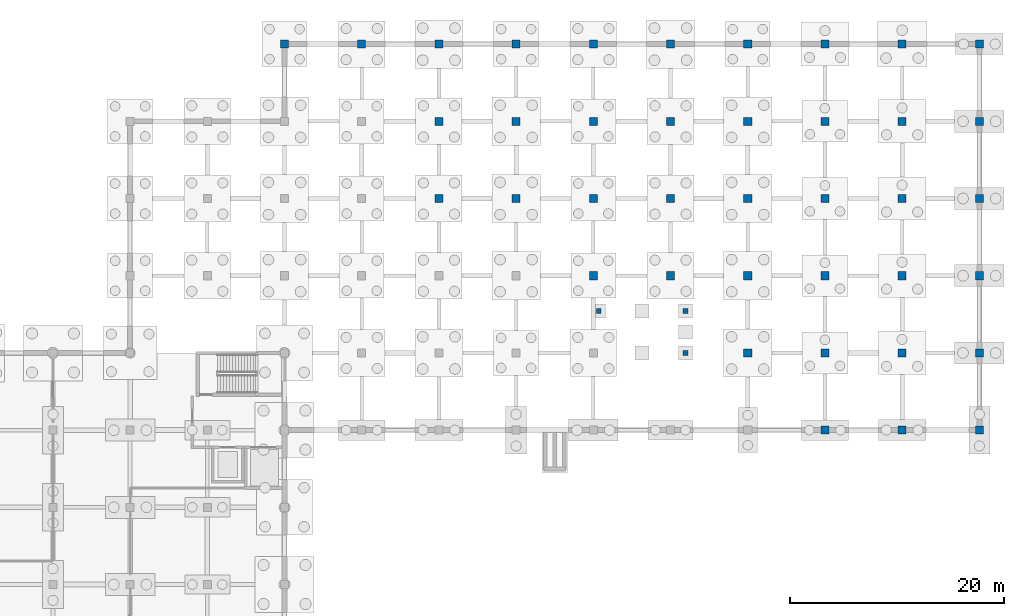
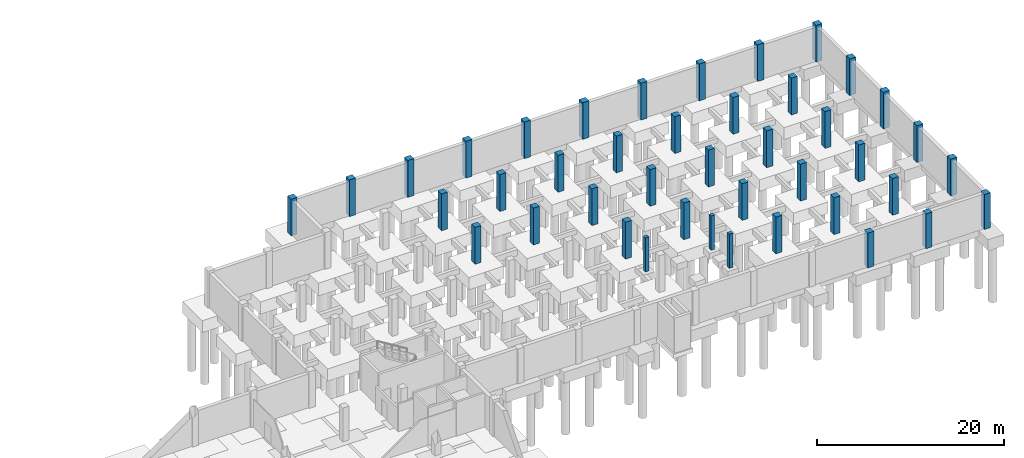
# One storey, part 22 of 35: 42 columns.
"""IFC4 building model written with IfcOpenShell, lengths in metres."""

from ifc_helpers import new_model, si_unit, direction, frame, origin, origin_2d, place, context, subcontext, project, spatial, rectangle, extrude, material, material_profile, profile_set, type_object, element, save


model = new_model("IFC4")

# Units and contexts
model_context = context("Model", 3, precision=1e-05, world=origin(), true_north=direction((0.0, 1.0)))
body_context = subcontext(model_context, "Body", "Model", "MODEL_VIEW")
ifc_project = project(units=[si_unit("LENGTHUNIT", "METRE"), si_unit("AREAUNIT", "SQUARE_METRE"), si_unit("VOLUMEUNIT", "CUBIC_METRE"), si_unit("PLANEANGLEUNIT", "RADIAN"), si_unit("MASSUNIT", "GRAM", prefix="KILO"), si_unit("THERMODYNAMICTEMPERATUREUNIT", "KELVIN"), si_unit("POWERUNIT", "WATT")], contexts=[model_context])

# Site, building, storey
site_placement = place(None, origin())
site = spatial("IfcSite", under=ifc_project, at=site_placement, CompositionType="ELEMENT")
building_placement = place(site_placement, origin())
building = spatial("IfcBuilding", under=site, at=building_placement, Name="Kaldorven Railside Theatre", CompositionType="ELEMENT")
storey_placement = place(building_placement, frame((0.0, 0.0, -4.800048828125)))
storey = spatial("IfcBuildingStorey", under=building, at=storey_placement, Name="B1", CompositionType="ELEMENT", Elevation=-4.800048828125)

# Columns
ifc_material = material(Name="Concrete C40/50", Category="concrete")
ifc_material_profile_1 = material_profile(ifc_material, rectangle(XDim=0.449951171875, YDim=0.449951171875, at=origin_2d()), Name="RC 450x450")
ifc_profile_set_1 = profile_set([ifc_material_profile_1], Name="Concrete C40/50")
column_type_1 = type_object("IfcColumnType", Name="COL-RC450", PredefinedType="COLUMN", material=ifc_profile_set_1)
for number, where, z_axis, x_axis, name in (
    (1, (160.60009765625, 112.800048828125, 0.0), (0.0, 0.0, 1.0), (1.0, 0.0, 0.0), "Core ST-08 Substructure Boundary Column CCR-037"),
    (2, (160.60009765625, 116.699951171875, 0.0), (0.0, 0.0, 1.0), (1.0, 0.0, 0.0), "Core ST-08 Substructure Boundary Column CCR-038"),
    (3, (152.5, 116.699951171875, 0.0), (0.0, 0.0, 1.0), (1.0, 0.0, 0.0), "Core ST-08 Substructure Boundary Column CCR-039"),
):
    element("IfcColumn", number, at=place(storey_placement, frame(where, z_axis=z_axis, x_axis=x_axis)), inside=storey, type_object=column_type_1, Name=name, PredefinedType="COLUMN", context=body_context, shape_type="SweptSolid", body=[
        extrude(rectangle(XDim=0.449951171875, YDim=0.449951171875, at=origin_2d()), origin(), (0.0, 0.0, 1.0), 4.449951171875),
    ])
ifc_material_profile_2 = material_profile(ifc_material, rectangle(XDim=0.75, YDim=0.75, at=origin_2d()), Name="RC 750x750")
ifc_profile_set_2 = profile_set([ifc_material_profile_2], Name="Concrete C40/50")
column_type_2 = type_object("IfcColumnType", Name="COL-RC750", PredefinedType="COLUMN", material=ifc_profile_set_2)
for number, where, z_axis, x_axis, name in (
    (4, (173.60009765625, 105.60009765625, 0.0), (0.0, 0.0, 1.0), (0.0, 1.0, 0.0), "B1 Column CG-B1-173-105"),
    (5, (180.800048828125, 105.60009765625, 0.0), (0.0, 0.0, 1.0), (1.0, 0.0, 0.0), "B1 Column CG-B1-180-105"),
    (6, (188.0, 105.60009765625, 0.0), (0.0, 0.0, 1.0), (0.0, 1.0, 0.0), "B1 Column CG-B1-188-105"),
):
    element("IfcColumn", number, at=place(storey_placement, frame(where, z_axis=z_axis, x_axis=x_axis)), inside=storey, type_object=column_type_2, Name=name, PredefinedType="COLUMN", context=body_context, shape_type="SweptSolid", body=[
        extrude(rectangle(XDim=0.75, YDim=0.75, at=origin_2d()), origin(), (0.0, 0.0, 1.0), 4.550048828125),
    ])
for number, where, z_axis, x_axis, name in (
    (7, (166.39990234375, 112.800048828125, 0.0), (0.0, 0.0, 1.0), (0.0, 1.0, 0.0), "B1 Column CG-B1-166-112"),
    (8, (173.60009765625, 112.800048828125, 0.0), (0.0, 0.0, 1.0), (1.0, 0.0, 0.0), "B1 Column CG-B1-173-112"),
    (9, (180.800048828125, 112.800048828125, 0.0), (0.0, 0.0, 1.0), (0.0, 1.0, 0.0), "B1 Column CG-B1-180-112"),
    (10, (188.0, 112.800048828125, 0.0), (0.0, 0.0, 1.0), (1.0, 0.0, 0.0), "B1 Column CG-B1-188-112"),
    (11, (152.0, 120.0, 0.0), (0.0, 0.0, 1.0), (1.0, 0.0, 0.0), "B1 Column CG-B1-152-120"),
    (12, (159.199951171875, 120.0, 0.0), (0.0, 0.0, 1.0), (0.0, 1.0, 0.0), "B1 Column CG-B1-159-120"),
    (13, (166.39990234375, 120.0, 0.0), (0.0, 0.0, 1.0), (1.0, 0.0, 0.0), "B1 Column CG-B1-166-120"),
    (14, (173.60009765625, 120.0, 0.0), (0.0, 0.0, 1.0), (0.0, 1.0, 0.0), "B1 Column CG-B1-173-120"),
    (15, (180.800048828125, 120.0, 0.0), (0.0, 0.0, 1.0), (1.0, 0.0, 0.0), "B1 Column CG-B1-180-120"),
    (16, (188.0, 120.0, 0.0), (0.0, 0.0, 1.0), (1.0, 0.0, 0.0), "B1 Column CG-B1-188-120"),
    (17, (137.60009765625, 127.199951171875, 0.0), (0.0, 0.0, 1.0), (1.0, 0.0, 0.0), "B1 Column CG-B1-137-127"),
    (18, (144.800048828125, 127.199951171875, 0.0), (0.0, 0.0, 1.0), (1.0, 0.0, 0.0), "B1 Column CG-B1-144-127"),
    (19, (152.0, 127.199951171875, 0.0), (0.0, 0.0, 1.0), (0.0, 1.0, 0.0), "B1 Column CG-B1-152-127"),
    (20, (159.199951171875, 127.199951171875, 0.0), (0.0, 0.0, 1.0), (1.0, 0.0, 0.0), "B1 Column CG-B1-159-127"),
    (21, (166.39990234375, 127.199951171875, 0.0), (0.0, 0.0, 1.0), (0.0, 1.0, 0.0), "B1 Column CG-B1-166-127"),
    (22, (173.60009765625, 127.199951171875, 0.0), (0.0, 0.0, 1.0), (1.0, 0.0, 0.0), "B1 Column CG-B1-173-127"),
    (23, (180.800048828125, 127.199951171875, 0.0), (0.0, 0.0, 1.0), (1.0, 0.0, 0.0), "B1 Column CG-B1-180-127"),
    (24, (188.0, 127.199951171875, 0.0), (0.0, 0.0, 1.0), (0.0, 1.0, 0.0), "B1 Column CG-B1-188-127"),
    (25, (137.60009765625, 134.39990234375, 0.0), (0.0, 0.0, 1.0), (1.0, 0.0, 0.0), "B1 Column CG-B1-137-134"),
    (26, (144.800048828125, 134.39990234375, 0.0), (0.0, 0.0, 1.0), (0.0, 1.0, 0.0), "B1 Column CG-B1-144-134"),
    (27, (152.0, 134.39990234375, 0.0), (0.0, 0.0, 1.0), (1.0, 0.0, 0.0), "B1 Column CG-B1-152-134"),
    (28, (159.199951171875, 134.39990234375, 0.0), (0.0, 0.0, 1.0), (0.0, 1.0, 0.0), "B1 Column CG-B1-159-134"),
    (29, (166.39990234375, 134.39990234375, 0.0), (0.0, 0.0, 1.0), (1.0, 0.0, 0.0), "B1 Column CG-B1-166-134"),
    (30, (173.60009765625, 134.39990234375, 0.0), (0.0, 0.0, 1.0), (1.0, 0.0, 0.0), "B1 Column CG-B1-173-134"),
    (31, (180.800048828125, 134.39990234375, 0.0), (0.0, 0.0, 1.0), (0.0, 1.0, 0.0), "B1 Column CG-B1-180-134"),
    (32, (188.0, 134.39990234375, 0.0), (0.0, 0.0, 1.0), (1.0, 0.0, 0.0), "B1 Column CG-B1-188-134"),
    (33, (123.199951171875, 141.60009765625, 0.0), (0.0, 0.0, 1.0), (1.0, 0.0, 0.0), "B1 Column CG-B1-123-141"),
    (34, (130.39990234375, 141.60009765625, 0.0), (0.0, 0.0, 1.0), (1.0, 0.0, 0.0), "B1 Column CG-B1-130-141"),
    (35, (137.60009765625, 141.60009765625, 0.0), (0.0, 0.0, 1.0), (0.0, 1.0, 0.0), "B1 Column CG-B1-137-141"),
    (36, (144.800048828125, 141.60009765625, 0.0), (0.0, 0.0, 1.0), (1.0, 0.0, 0.0), "B1 Column CG-B1-144-141"),
    (37, (152.0, 141.60009765625, 0.0), (0.0, 0.0, 1.0), (0.0, 1.0, 0.0), "B1 Column CG-B1-152-141"),
    (38, (159.199951171875, 141.60009765625, 0.0), (0.0, 0.0, 1.0), (1.0, 0.0, 0.0), "B1 Column CG-B1-159-141"),
    (39, (166.39990234375, 141.60009765625, 0.0), (0.0, 0.0, 1.0), (1.0, 0.0, 0.0), "B1 Column CG-B1-166-141"),
    (40, (173.60009765625, 141.60009765625, 0.0), (0.0, 0.0, 1.0), (0.0, 1.0, 0.0), "B1 Column CG-B1-173-141"),
    (41, (180.800048828125, 141.60009765625, 0.0), (0.0, 0.0, 1.0), (1.0, 0.0, 0.0), "B1 Column CG-B1-180-141"),
    (42, (188.0, 141.60009765625, 0.0), (0.0, 0.0, 1.0), (0.0, 1.0, 0.0), "B1 Column CG-B1-188-141"),
):
    element("IfcColumn", number, at=place(storey_placement, frame(where, z_axis=z_axis, x_axis=x_axis)), inside=storey, type_object=column_type_2, Name=name, PredefinedType="COLUMN", context=body_context, shape_type="SweptSolid", body=[
        extrude(rectangle(XDim=0.75, YDim=0.75, at=origin_2d()), origin(), (0.0, 0.0, 1.0), 4.800048828125),
    ])

save(model, "model.ifc")
